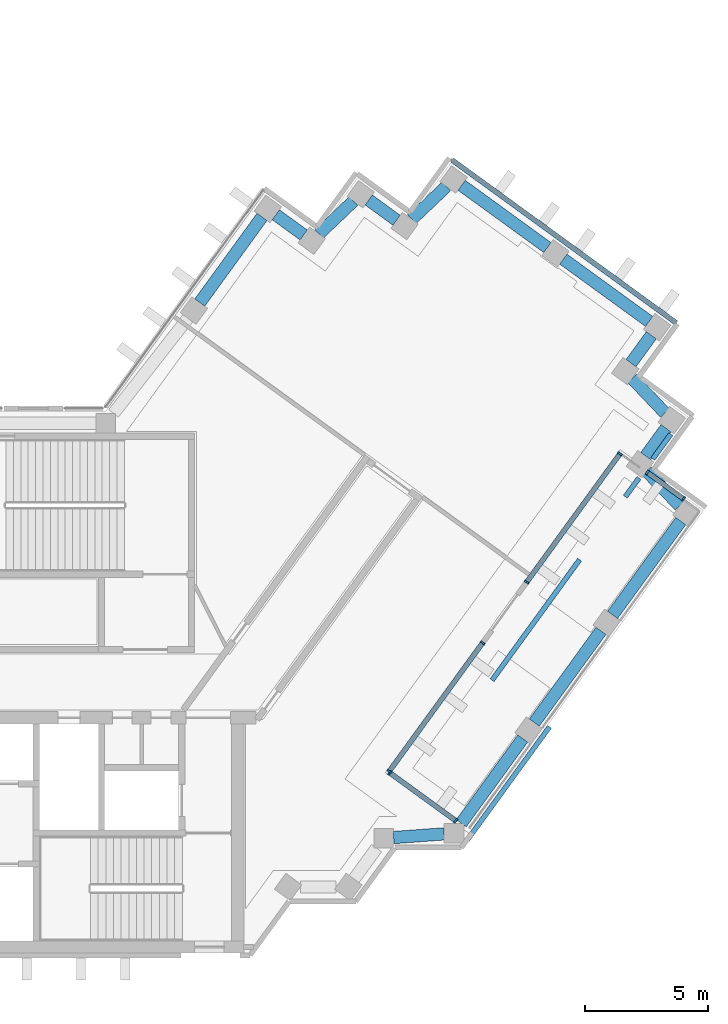
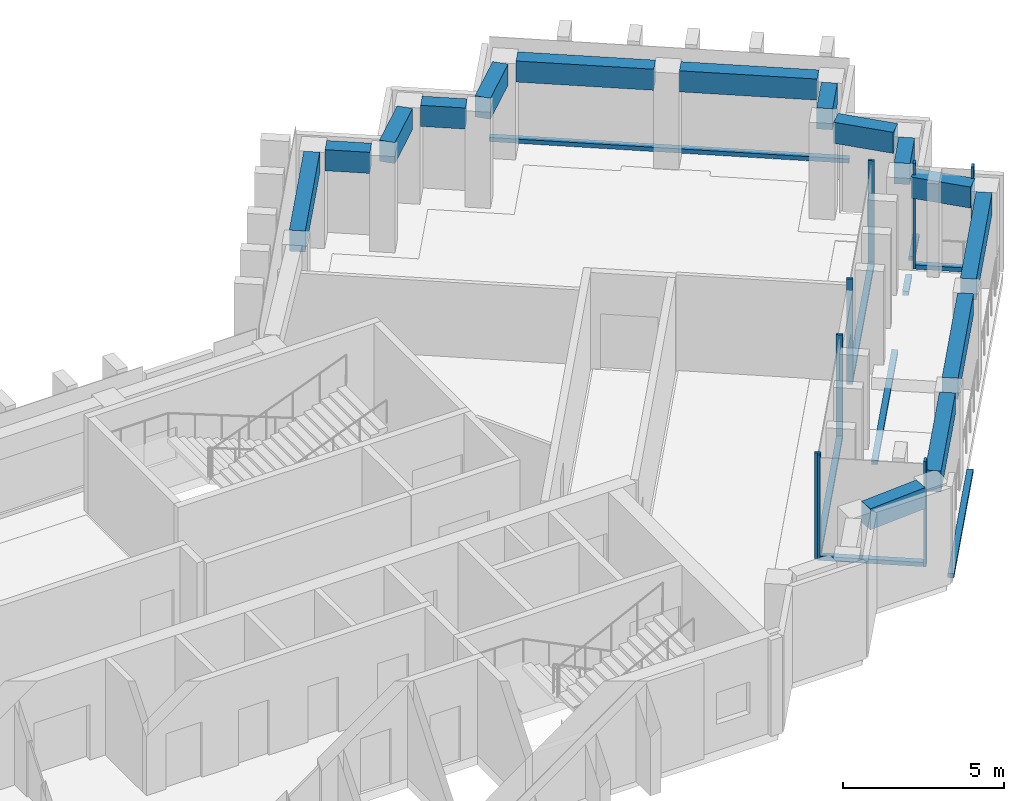
"""IFC4 building model written with IfcOpenShell, lengths in metres."""

from ifc_helpers import new_model, si_unit, direction, frame, origin, origin_2d, place, context, subcontext, project, spatial, rectangle, extrude, material, material_profile, profile_set, type_object, element, aggregate, save


model = new_model("IFC4")

# Units and contexts
model_context = context("Model", 3, precision=1e-05, world=origin(), true_north=direction((0.0, 1.0)))
body_context = subcontext(model_context, "Body", "Model", "MODEL_VIEW")
ifc_project = project(units=[si_unit("LENGTHUNIT", "METRE"), si_unit("AREAUNIT", "SQUARE_METRE"), si_unit("VOLUMEUNIT", "CUBIC_METRE"), si_unit("PLANEANGLEUNIT", "RADIAN"), si_unit("MASSUNIT", "GRAM", prefix="KILO")], contexts=[model_context])

# Site, building, storey
site_placement = place(None, origin())
site = spatial("IfcSite", under=ifc_project, at=site_placement, CompositionType="ELEMENT")
building_placement = place(site_placement, origin())
building = spatial("IfcBuilding", under=site, at=building_placement, Name="Quipu Civic Tower", CompositionType="ELEMENT")
storey_1_placement = place(building_placement, frame((0.0, 0.0, 202.0)))
storey_1 = spatial("IfcBuildingStorey", under=building, at=storey_1_placement, Name="L47", CompositionType="ELEMENT", Elevation=202.0)

# Curtain wall, members
ifc_material_1 = material(Name="Insulated glass unit", Category="glass")
curtain_wall_type = type_object("IfcCurtainWallType", Name="Office curtain wall CW1", PredefinedType="NOTDEFINED", material=ifc_material_1)
curtain_wall_1_placement = place(storey_1_placement, origin())
curtain_wall_1 = element("IfcCurtainWall", 1, at=curtain_wall_1_placement, inside=storey_1, type_object=curtain_wall_type, Name="Office curtain wall CW1 L47 run 3", PredefinedType="NOTDEFINED")
ifc_material_2 = material(Name="Anodised aluminium", Category="aluminium")
ifc_material_profile_1 = material_profile(ifc_material_2, rectangle(XDim=0.199951171875, YDim=0.080078125, at=origin_2d()), Name="RECT 200x80")
ifc_profile_set_1 = profile_set([ifc_material_profile_1], Name="Anodised aluminium")
member_type_1 = type_object("IfcMemberType", Name="Mullion CW1", PredefinedType="MULLION", material=ifc_profile_set_1)
member_1_placement = place(storey_1_placement, frame((28.59375, -5.62548828125, 0.080078125), z_axis=(0.0, 0.0, 1.0), x_axis=(-0.58778153638, -0.809019694131, 0.0)))
member_1 = element("IfcMember", 2, at=member_1_placement, type_object=member_type_1, Name="CW1 mullion 1", PredefinedType="MULLION", context=body_context, shape_type="SweptSolid", body=[
    extrude(rectangle(XDim=0.199951171875, YDim=0.080078125, at=origin_2d()), origin(), (0.0, 0.0, 1.0), 4.0),
])
member_2_placement = place(storey_1_placement, frame((25.908447265625, -3.6748046875, 0.080078125), z_axis=(0.0, 0.0, 1.0), x_axis=(-0.58778153638, -0.809019694131, 0.0)))
member_2 = element("IfcMember", 3, at=member_2_placement, type_object=member_type_1, Name="CW1 mullion 2", PredefinedType="MULLION", context=body_context, shape_type="SweptSolid", body=[
    extrude(rectangle(XDim=0.199951171875, YDim=0.080078125, at=origin_2d()), origin(), (0.0, 0.0, 1.0), 4.0),
])

curtain_wall_2_placement = place(storey_1_placement, origin())
curtain_wall_2 = element("IfcCurtainWall", 4, at=curtain_wall_2_placement, inside=storey_1, type_object=curtain_wall_type, Name="Office curtain wall CW1 L47 run 4", PredefinedType="NOTDEFINED")
member_3_placement = place(storey_1_placement, frame((25.899658203125, -3.618896484375, 0.080078125), z_axis=(0.0, 0.0, 1.0), x_axis=(-0.809011305716, 0.58779308198, 0.0)))
member_3 = element("IfcMember", 5, at=member_3_placement, type_object=member_type_1, Name="CW1 mullion 1", PredefinedType="MULLION", context=body_context, shape_type="SweptSolid", body=[
    extrude(rectangle(XDim=0.199951171875, YDim=0.080078125, at=origin_2d()), origin(), (0.0, 0.0, 1.0), 4.0),
])
member_4_placement = place(storey_1_placement, frame((29.68408203125, 1.58984375, 0.080078125), z_axis=(0.0, 0.0, 1.0), x_axis=(-0.809011305716, 0.58779308198, 0.0)))
member_4 = element("IfcMember", 6, at=member_4_placement, type_object=member_type_1, Name="CW1 mullion 2", PredefinedType="MULLION", context=body_context, shape_type="SweptSolid", body=[
    extrude(rectangle(XDim=0.199951171875, YDim=0.080078125, at=origin_2d()), origin(), (0.0, 0.0, 1.0), 4.0),
])

curtain_wall_3_placement = place(storey_1_placement, origin())
curtain_wall_3 = element("IfcCurtainWall", 7, at=curtain_wall_3_placement, inside=storey_1, type_object=curtain_wall_type, Name="Office curtain wall CW1 L47 run 6", PredefinedType="NOTDEFINED")
member_5_placement = place(storey_1_placement, frame((31.47265625, 4.0517578125, 0.080078125), z_axis=(0.0, 0.0, 1.0), x_axis=(-0.809016605967, 0.58778578689, 0.0)))
member_5 = element("IfcMember", 8, at=member_5_placement, type_object=member_type_1, Name="CW1 mullion 1", PredefinedType="MULLION", context=body_context, shape_type="SweptSolid", body=[
    extrude(rectangle(XDim=0.199951171875, YDim=0.080078125, at=origin_2d()), origin(), (0.0, 0.0, 1.0), 4.0),
])
member_6_placement = place(storey_1_placement, frame((35.257080078125, 9.2607421875, 0.080078125), z_axis=(0.0, 0.0, 1.0), x_axis=(-0.809016605967, 0.58778578689, 0.0)))
member_6 = element("IfcMember", 9, at=member_6_placement, type_object=member_type_1, Name="CW1 mullion 2", PredefinedType="MULLION", context=body_context, shape_type="SweptSolid", body=[
    extrude(rectangle(XDim=0.199951171875, YDim=0.080078125, at=origin_2d()), origin(), (0.0, 0.0, 1.0), 4.0),
])

curtain_wall_4_placement = place(storey_1_placement, origin())
curtain_wall_4 = element("IfcCurtainWall", 10, at=curtain_wall_4_placement, inside=storey_1, type_object=curtain_wall_type, Name="Office curtain wall CW1 L47 run 8", PredefinedType="NOTDEFINED")
member_7_placement = place(storey_1_placement, frame((36.365478515625, 8.5048828125, 0.080078125), z_axis=(0.0, 0.0, 1.0), x_axis=(0.587802287602, 0.809004617224, 0.0)))
member_7 = element("IfcMember", 11, at=member_7_placement, type_object=member_type_1, Name="CW1 mullion 1", PredefinedType="MULLION", context=body_context, shape_type="SweptSolid", body=[
    extrude(rectangle(XDim=0.199951171875, YDim=0.080078125, at=origin_2d()), origin(), (0.0, 0.0, 1.0), 4.0),
])
member_8_placement = place(storey_1_placement, frame((37.837646484375, 7.435302734375, 0.080078125), z_axis=(0.0, 0.0, 1.0), x_axis=(0.587802287602, 0.809004617224, 0.0)))
member_8 = element("IfcMember", 12, at=member_8_placement, type_object=member_type_1, Name="CW1 mullion 2", PredefinedType="MULLION", context=body_context, shape_type="SweptSolid", body=[
    extrude(rectangle(XDim=0.199951171875, YDim=0.080078125, at=origin_2d()), origin(), (0.0, 0.0, 1.0), 4.0),
])

# Beams
ifc_material_3 = material(Name="Concrete C50/60", Category="concrete")
ifc_material_profile_2 = material_profile(ifc_material_3, rectangle(XDim=0.5, YDim=0.800048828125, at=origin_2d()), Name="RC500x800")
ifc_profile_set_2 = profile_set([ifc_material_profile_2], Name="Concrete C50/60")
beam_type = type_object("IfcBeamType", Name="Spandrel beam RC 500x800 C50/60", PredefinedType="SPANDREL", material=ifc_profile_set_2)
beam_1_placement = place(storey_1_placement, frame((26.074462890625, -6.307861328125, 3.25), z_axis=(0.997372997143, 0.072436900614, 0.0), x_axis=(-0.072436900614, 0.997372997143, 0.0)))
element("IfcBeam", 13, at=beam_1_placement, inside=storey_1, type_object=beam_type, Name="Spandrel beam L47 J-Eo.3 to J-Eo.4", PredefinedType="SPANDREL", context=body_context, shape_type="SweptSolid", body=[
    extrude(rectangle(XDim=0.5, YDim=0.800048828125, at=origin_2d()), origin(), (0.0, 0.0, 1.0), 2.055908203125),
])
beam_2_placement = place(storey_1_placement, frame((28.815673828125, -5.72998046875, 3.25), z_axis=(0.58776850526, 0.809029161541, 0.0), x_axis=(-0.809029161541, 0.58776850526, 0.0)))
element("IfcBeam", 14, at=beam_2_placement, inside=storey_1, type_object=beam_type, Name="Spandrel beam L47 J-Eo.4 to E-OUT-01", PredefinedType="SPANDREL", context=body_context, shape_type="SweptSolid", body=[
    extrude(rectangle(XDim=0.5, YDim=0.800048828125, at=origin_2d()), origin(), (0.0, 0.0, 1.0), 4.249267578125),
])
beam_3_placement = place(storey_1_placement, frame((31.783447265625, -1.64501953125, 3.25), z_axis=(0.587796098864, 0.809009113768, 0.0), x_axis=(-0.809009113768, 0.587796098864, 0.0)))
element("IfcBeam", 15, at=beam_3_placement, inside=storey_1, type_object=beam_type, Name="Spandrel beam L47 E-OUT-01 to E-OUT-02", PredefinedType="SPANDREL", context=body_context, shape_type="SweptSolid", body=[
    extrude(rectangle(XDim=0.5, YDim=0.800048828125, at=origin_2d()), origin(), (0.0, 0.0, 1.0), 4.60009765625),
])
beam_4_placement = place(storey_1_placement, frame((34.95751953125, 2.7236328125, 3.25), z_axis=(0.587891029962, 0.808940131833, 0.0), x_axis=(-0.808940131833, 0.587891029962, 0.0)))
element("IfcBeam", 16, at=beam_4_placement, inside=storey_1, type_object=beam_type, Name="Spandrel beam L47 E-OUT-02 to T-Eo.0-E22", PredefinedType="SPANDREL", context=body_context, shape_type="SweptSolid", body=[
    extrude(rectangle(XDim=0.5, YDim=0.800048828125, at=origin_2d()), origin(), (0.0, 0.0, 1.0), 4.707275390625),
])
beam_5_placement = place(storey_1_placement, frame((37.6796875, 7.149658203125, 3.25), z_axis=(-0.689191109061, 0.724579612735, 0.0), x_axis=(-0.724579612735, -0.689191109061, 0.0)))
element("IfcBeam", 17, at=beam_5_placement, inside=storey_1, type_object=beam_type, Name="Spandrel beam L47 T-Eo.0-E22 to T-Eo.1-E22", PredefinedType="SPANDREL", context=body_context, shape_type="SweptSolid", body=[
    extrude(rectangle(XDim=0.5, YDim=0.800048828125, at=origin_2d()), origin(), (0.0, 0.0, 1.0), 1.931640625),
])
beam_6_placement = place(storey_1_placement, frame((36.302978515625, 9.16796875, 3.25), z_axis=(0.58725897397, 0.809399096547, 0.0), x_axis=(-0.809399096547, 0.58725897397, 0.0)))
element("IfcBeam", 18, at=beam_6_placement, inside=storey_1, type_object=beam_type, Name="Spandrel beam L47 T-Eo.1-E22 to T-Eo.2-E22", PredefinedType="SPANDREL", context=body_context, shape_type="SweptSolid", body=[
    extrude(rectangle(XDim=0.5, YDim=0.800048828125, at=origin_2d()), origin(), (0.0, 0.0, 1.0), 1.400146484375),
])
beam_7_placement = place(storey_1_placement, frame((37.080078125, 10.920166015625, 3.25), z_axis=(-0.688280901551, 0.725444278053, 0.0), x_axis=(-0.725444278053, -0.688280901551, 0.0)))
element("IfcBeam", 19, at=beam_7_placement, inside=storey_1, type_object=beam_type, Name="Spandrel beam L47 T-Eo.2-E22 to T-Eo.3-E22", PredefinedType="SPANDREL", context=body_context, shape_type="SweptSolid", body=[
    extrude(rectangle(XDim=0.5, YDim=0.800048828125, at=origin_2d()), origin(), (0.0, 0.0, 1.0), 1.931396484375),
])
beam_8_placement = place(storey_1_placement, frame((35.7060546875, 12.93994140625, 3.25), z_axis=(0.58841024035, 0.808562544922, 0.0), x_axis=(-0.808562544922, 0.58841024035, 0.0)))
element("IfcBeam", 20, at=beam_8_placement, inside=storey_1, type_object=beam_type, Name="Spandrel beam L47 T-Eo.3-E22 to T-Eo.4-E22", PredefinedType="SPANDREL", context=body_context, shape_type="SweptSolid", body=[
    extrude(rectangle(XDim=0.5, YDim=0.800048828125, at=origin_2d()), origin(), (0.0, 0.0, 1.0), 1.3994140625),
])
beam_9_placement = place(storey_1_placement, frame((36.44140625, 14.630126953125, 3.25), z_axis=(-0.809153076016, 0.587597906373, 0.0), x_axis=(-0.587597906373, -0.809153076016, 0.0)))
element("IfcBeam", 21, at=beam_9_placement, inside=storey_1, type_object=beam_type, Name="Spandrel beam L47 T-Eo.4-E22 to TIP-E-01-E22", PredefinedType="SPANDREL", context=body_context, shape_type="SweptSolid", body=[
    extrude(rectangle(XDim=0.5, YDim=0.800048828125, at=origin_2d()), origin(), (0.0, 0.0, 1.0), 4.302001953125),
])
beam_10_placement = place(storey_1_placement, frame((32.313232421875, 17.6279296875, 3.25), z_axis=(-0.80911644178, 0.587648350327, 0.0), x_axis=(-0.587648350327, -0.80911644178, 0.0)))
element("IfcBeam", 22, at=beam_10_placement, inside=storey_1, type_object=beam_type, Name="Spandrel beam L47 TIP-E-01-E22 to T-Ei.0-E22", PredefinedType="SPANDREL", context=body_context, shape_type="SweptSolid", body=[
    extrude(rectangle(XDim=0.5, YDim=0.800048828125, at=origin_2d()), origin(), (0.0, 0.0, 1.0), 4.30029296875),
])
beam_11_placement = place(storey_1_placement, frame((28.21484375, 20.10986328125, 3.25), z_axis=(-0.725384387405, -0.688344020464, 0.0), x_axis=(0.688344020464, -0.725384387405, 0.0)))
element("IfcBeam", 23, at=beam_11_placement, inside=storey_1, type_object=beam_type, Name="Spandrel beam L47 T-Ei.0-E22 to T-Ei.1-E22", PredefinedType="SPANDREL", context=body_context, shape_type="SweptSolid", body=[
    extrude(rectangle(XDim=0.5, YDim=0.800048828125, at=origin_2d()), origin(), (0.0, 0.0, 1.0), 1.93115234375),
])
beam_12_placement = place(storey_1_placement, frame((26.195556640625, 18.73583984375, 3.25), z_axis=(-0.808600329101, 0.588358315805, 0.0), x_axis=(-0.588358315805, -0.808600329101, 0.0)))
element("IfcBeam", 24, at=beam_12_placement, inside=storey_1, type_object=beam_type, Name="Spandrel beam L47 T-Ei.1-E22 to T-Ei.2-E22", PredefinedType="SPANDREL", context=body_context, shape_type="SweptSolid", body=[
    extrude(rectangle(XDim=0.5, YDim=0.800048828125, at=origin_2d()), origin(), (0.0, 0.0, 1.0), 1.400146484375),
])
beam_13_placement = place(storey_1_placement, frame((24.445068359375, 19.514892578125, 3.25), z_axis=(-0.72506883804, -0.688676397232, 0.0), x_axis=(0.688676397232, -0.72506883804, 0.0)))
element("IfcBeam", 25, at=beam_13_placement, inside=storey_1, type_object=beam_type, Name="Spandrel beam L47 T-Ei.2-E22 to T-Ei.3-E22", PredefinedType="SPANDREL", context=body_context, shape_type="SweptSolid", body=[
    extrude(rectangle(XDim=0.5, YDim=0.800048828125, at=origin_2d()), origin(), (0.0, 0.0, 1.0), 1.93212890625),
])
beam_14_placement = place(storey_1_placement, frame((22.425537109375, 18.13916015625, 3.25), z_axis=(-0.809452764948, 0.587184997524, 0.0), x_axis=(-0.587184997524, -0.809452764948, 0.0)))
element("IfcBeam", 26, at=beam_14_placement, inside=storey_1, type_object=beam_type, Name="Spandrel beam L47 T-Ei.3-E22 to T-Ei.4-E22", PredefinedType="SPANDREL", context=body_context, shape_type="SweptSolid", body=[
    extrude(rectangle(XDim=0.5, YDim=0.800048828125, at=origin_2d()), origin(), (0.0, 0.0, 1.0), 1.398193359375),
])
beam_15_placement = place(storey_1_placement, frame((20.734619140625, 18.87158203125, 3.25), z_axis=(-0.58812775221, -0.808768042816, 0.0), x_axis=(0.808768042816, -0.58812775221, 0.0)))
element("IfcBeam", 27, at=beam_15_placement, inside=storey_1, type_object=beam_type, Name="Spandrel beam L47 T-Ei.4-E22 to E-IN-01", PredefinedType="SPANDREL", context=body_context, shape_type="SweptSolid", body=[
    extrude(rectangle(XDim=0.5, YDim=0.800048828125, at=origin_2d()), origin(), (0.0, 0.0, 1.0), 4.29443359375),
])

# Storey
storey_2_placement = place(building_placement, frame((0.0, 0.0, 198.0)))
storey_2 = spatial("IfcBuildingStorey", under=building, at=storey_2_placement, Name="L46", CompositionType="ELEMENT", Elevation=198.0)

# Curtain wall, member
curtain_wall_5_placement = place(storey_2_placement, origin())
curtain_wall_5 = element("IfcCurtainWall", 28, at=curtain_wall_5_placement, inside=storey_2, type_object=curtain_wall_type, Name="Office curtain wall CW1 L46 run 1", PredefinedType="NOTDEFINED")
ifc_material_4 = material(Name="Anodised aluminium", Category="aluminium")
ifc_material_profile_3 = material_profile(ifc_material_4, rectangle(XDim=0.199951171875, YDim=0.159912109375, at=origin_2d()), Name="RECT 200x160")
ifc_profile_set_3 = profile_set([ifc_material_profile_3], Name="Anodised aluminium")
member_type_2 = type_object("IfcMemberType", Name="Transom CW1", PredefinedType="USERDEFINED", material=ifc_profile_set_3)
member_9_placement = place(storey_1_placement, frame((29.052978515625, -6.424072265625, 0.0), z_axis=(0.587771499794, 0.809026985971, 0.0), x_axis=(-0.809026985971, 0.587771499794, 0.0)))
member_9 = element("IfcMember", 29, at=member_9_placement, inside=storey_1, type_object=member_type_2, Name="CW1 transom 1.2", ObjectType="TRANSOM", PredefinedType="USERDEFINED", context=body_context, shape_type="SweptSolid", body=[
    extrude(rectangle(XDim=0.199951171875, YDim=0.159912109375, at=origin_2d()), origin(), (0.0, 0.0, 1.0), 5.69580078125),
])
aggregate(curtain_wall_5, [member_9])

curtain_wall_6_placement = place(storey_2_placement, origin())
curtain_wall_6 = element("IfcCurtainWall", 30, at=curtain_wall_6_placement, inside=storey_2, type_object=curtain_wall_type, Name="Office curtain wall CW1 L46 run 3", PredefinedType="NOTDEFINED")
member_10_placement = place(storey_1_placement, frame((30.068115234375, 0.076904296875, 0.0), z_axis=(0.587777430815, 0.809022676953, 0.0), x_axis=(-0.809022676953, 0.587777430815, 0.0)))
member_10 = element("IfcMember", 31, at=member_10_placement, inside=storey_1, type_object=member_type_2, Name="CW1 transom 1.2", ObjectType="TRANSOM", PredefinedType="USERDEFINED", context=body_context, shape_type="SweptSolid", body=[
    extrude(rectangle(XDim=0.199951171875, YDim=0.159912109375, at=origin_2d()), origin(), (0.0, 0.0, 1.0), 6.039306640625),
])
aggregate(curtain_wall_6, [member_10])

curtain_wall_7_placement = place(storey_2_placement, origin())
curtain_wall_7 = element("IfcCurtainWall", 32, at=curtain_wall_7_placement, inside=storey_2, type_object=curtain_wall_type, Name="Office curtain wall CW1 L46 run 5", PredefinedType="NOTDEFINED")
member_11_placement = place(storey_1_placement, frame((35.475341796875, 7.51953125, 0.0), z_axis=(0.587924619489, 0.808915719836, 0.0), x_axis=(-0.808915719836, 0.587924619489, 0.0)))
member_11 = element("IfcMember", 33, at=member_11_placement, inside=storey_1, type_object=member_type_2, Name="CW1 transom 1.2", ObjectType="TRANSOM", PredefinedType="USERDEFINED", context=body_context, shape_type="SweptSolid", body=[
    extrude(rectangle(XDim=0.199951171875, YDim=0.159912109375, at=origin_2d()), origin(), (0.0, 0.0, 1.0), 0.940185546875),
])
aggregate(curtain_wall_7, [member_11])

curtain_wall_8_placement = place(storey_2_placement, origin())
curtain_wall_8 = element("IfcCurtainWall", 34, at=curtain_wall_8_placement, inside=storey_2, type_object=curtain_wall_type, Name="Office curtain wall CW1 L46 run 6", PredefinedType="NOTDEFINED")
member_12_placement = place(storey_1_placement, frame((36.59228515625, 9.056640625, 0.0), z_axis=(0.587867298667, 0.808957377838, 0.0), x_axis=(-0.808957377838, 0.587867298667, 0.0)))
member_12 = element("IfcMember", 35, at=member_12_placement, inside=storey_1, type_object=member_type_2, Name="CW1 transom 1.2", ObjectType="TRANSOM", PredefinedType="USERDEFINED", context=body_context, shape_type="SweptSolid", body=[
    extrude(rectangle(XDim=0.199951171875, YDim=0.159912109375, at=origin_2d()), origin(), (0.0, 0.0, 1.0), 1.239990234375),
])
aggregate(curtain_wall_8, [member_12])

curtain_wall_9_placement = place(storey_2_placement, origin())
curtain_wall_9 = element("IfcCurtainWall", 36, at=curtain_wall_9_placement, inside=storey_2, type_object=curtain_wall_type, Name="Office curtain wall CW1 L45 run 6", PredefinedType="NOTDEFINED")
member_13_placement = place(storey_1_placement, frame((37.536865234375, 14.575927734375, 0.080078125), z_axis=(-0.809022463805, 0.587777724194, 0.0), x_axis=(-0.587777724194, -0.809022463805, 0.0)))
member_13 = element("IfcMember", 37, at=member_13_placement, inside=storey_1, type_object=member_type_2, Name="CW1 transom 1.3", ObjectType="TRANSOM", PredefinedType="USERDEFINED", context=body_context, shape_type="SweptSolid", body=[
    extrude(rectangle(XDim=0.199951171875, YDim=0.159912109375, at=origin_2d()), origin(), (0.0, 0.0, 1.0), 11.240234375),
])
aggregate(curtain_wall_9, [member_13])

# Member
member_14_placement = place(storey_1_placement, frame((28.561279296875, -5.60205078125, 0.159912109375), z_axis=(-0.809016311663, 0.587786191964, 0.0), x_axis=(-0.587786191964, -0.809016311663, 0.0)))
member_14 = element("IfcMember", 38, at=member_14_placement, type_object=member_type_2, Name="CW1 transom 1.1", ObjectType="TRANSOM", PredefinedType="USERDEFINED", context=body_context, shape_type="SweptSolid", body=[
    extrude(rectangle(XDim=0.199951171875, YDim=0.159912109375, at=origin_2d()), origin(), (0.0, 0.0, 1.0), 3.239013671875),
])

aggregate(curtain_wall_1, [member_1, member_2, member_14])

member_15_placement = place(storey_1_placement, frame((25.923095703125, -3.58642578125, 0.159912109375), z_axis=(0.587804073239, 0.809003319822, 0.0), x_axis=(-0.809003319822, 0.587804073239, 0.0)))
member_15 = element("IfcMember", 39, at=member_15_placement, type_object=member_type_2, Name="CW1 transom 1.1", ObjectType="TRANSOM", PredefinedType="USERDEFINED", context=body_context, shape_type="SweptSolid", body=[
    extrude(rectangle(XDim=0.199951171875, YDim=0.159912109375, at=origin_2d()), origin(), (0.0, 0.0, 1.0), 6.3583984375),
])

aggregate(curtain_wall_2, [member_3, member_4, member_15])

member_16_placement = place(storey_1_placement, frame((31.496337890625, 4.084228515625, 0.159912109375), z_axis=(0.587778942742, 0.809021578494, 0.0), x_axis=(-0.809021578494, 0.587778942742, 0.0)))
member_16 = element("IfcMember", 40, at=member_16_placement, type_object=member_type_2, Name="CW1 transom 1.1", ObjectType="TRANSOM", PredefinedType="USERDEFINED", context=body_context, shape_type="SweptSolid", body=[
    extrude(rectangle(XDim=0.199951171875, YDim=0.159912109375, at=origin_2d()), origin(), (0.0, 0.0, 1.0), 6.3583984375),
])

aggregate(curtain_wall_3, [member_5, member_6, member_16])

member_17_placement = place(storey_1_placement, frame((36.39794921875, 8.481201171875, 0.159912109375), z_axis=(0.809003053735, -0.587804439459, 0.0), x_axis=(0.587804439459, 0.809003053735, 0.0)))
member_17 = element("IfcMember", 41, at=member_17_placement, type_object=member_type_2, Name="CW1 transom 1.1", ObjectType="TRANSOM", PredefinedType="USERDEFINED", context=body_context, shape_type="SweptSolid", body=[
    extrude(rectangle(XDim=0.199951171875, YDim=0.159912109375, at=origin_2d()), origin(), (0.0, 0.0, 1.0), 1.739501953125),
])

aggregate(curtain_wall_4, [member_7, member_8, member_17])

save(model, "model.ifc")
